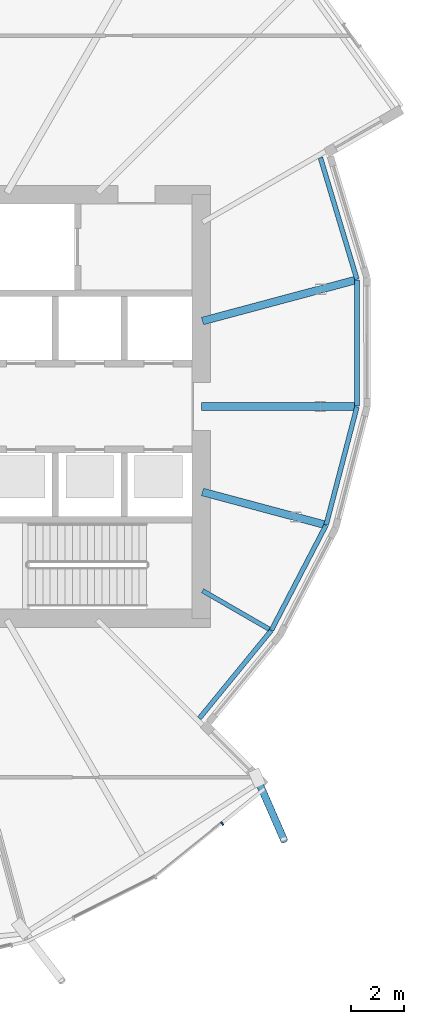
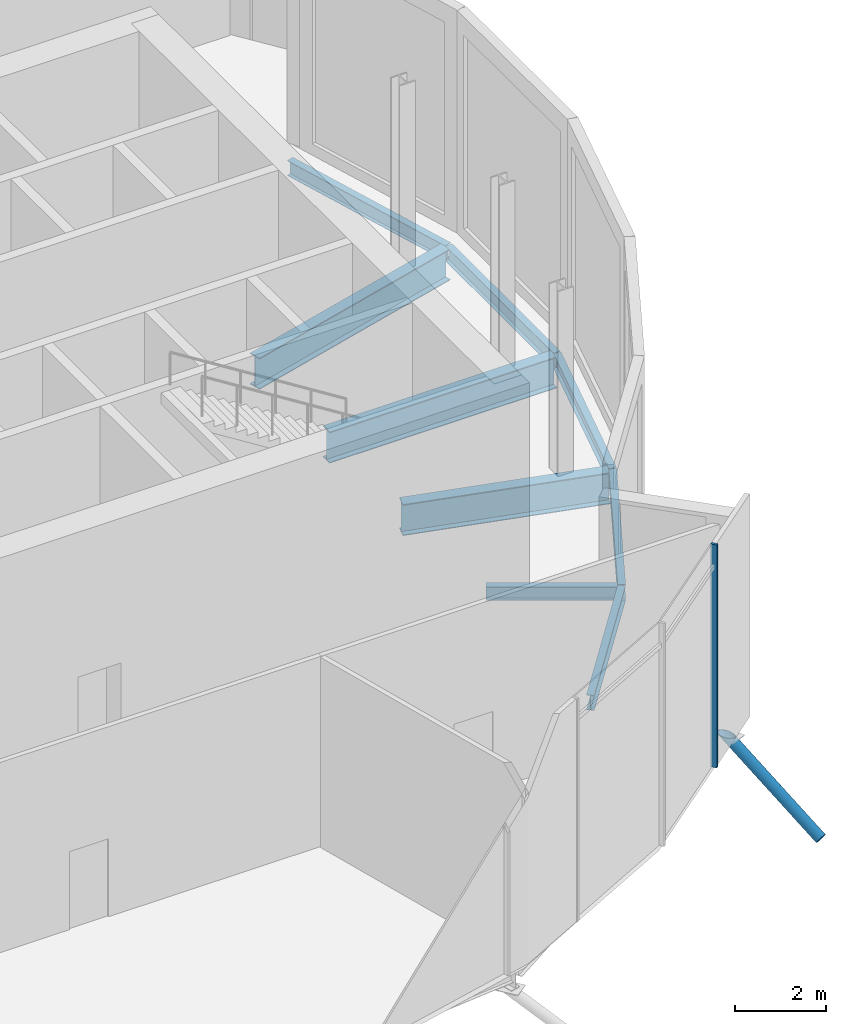
# One storey, part 13 of 38: 9 beams, 2 members, 1 element without a shape of its own.
"""IFC4 building model written with IfcOpenShell, lengths in metres."""

from ifc_helpers import new_model, si_unit, direction, frame, origin, origin_2d, place, context, subcontext, project, spatial, rectangle, hollow_circle, i_section, extrude, clip, halfspace, material, material_profile, profile_set, type_object, element, aggregate, save


model = new_model("IFC4")

# Units and contexts
model_context = context("Model", 3, precision=1e-05, world=origin(), true_north=direction((0.0, 1.0)))
body_context = subcontext(model_context, "Body", "Model", "MODEL_VIEW")
ifc_project = project(units=[si_unit("LENGTHUNIT", "METRE"), si_unit("AREAUNIT", "SQUARE_METRE"), si_unit("VOLUMEUNIT", "CUBIC_METRE"), si_unit("PLANEANGLEUNIT", "RADIAN"), si_unit("MASSUNIT", "GRAM", prefix="KILO")], contexts=[model_context])

# Site, building, storey
site_placement = place(None, origin())
site = spatial("IfcSite", under=ifc_project, at=site_placement, CompositionType="ELEMENT")
building_placement = place(site_placement, origin())
building = spatial("IfcBuilding", under=site, at=building_placement, Name="Rimbun Link Towers", CompositionType="ELEMENT")
storey_placement = place(building_placement, frame((0.0, 0.0, 133.199951171875)))
storey = spatial("IfcBuildingStorey", under=building, at=storey_placement, Name="L32", CompositionType="ELEMENT", Elevation=133.199951171875)

# Curtain wall, member
ifc_material_1 = material(Name="Aluminium 6063-T6 and low-iron glass", Category="aluminium")
curtain_wall_type = type_object("IfcCurtainWallType", Name="CW5 full height lobby wall", PredefinedType="NOTDEFINED", material=ifc_material_1)
curtain_wall_placement = place(storey_placement, origin())
curtain_wall = element("IfcCurtainWall", 1, at=curtain_wall_placement, inside=storey, type_object=curtain_wall_type, Name="CW5 L32 T2", PredefinedType="NOTDEFINED")
ifc_material_2 = material(Name="Aluminium 6063-T6", Category="aluminium")
ifc_material_profile_1 = material_profile(ifc_material_2, rectangle(XDim=0.14990234375, YDim=0.06005859375, at=origin_2d()), Name="MULLION 60X150")
ifc_profile_set_1 = profile_set([ifc_material_profile_1], Name="Aluminium 6063-T6")
member_type_1 = type_object("IfcMemberType", Name="CW5 mullion 60X150", PredefinedType="MULLION", material=ifc_profile_set_1)
member_1_placement = place(storey_placement, frame((44.5302734375, -15.744873046875, 0.0), z_axis=(0.0, 0.0, 1.0), x_axis=(0.629158779809, -0.777276803841, 0.0)))
member_1 = element("IfcMember", 2, at=member_1_placement, type_object=member_type_1, Name="CW5 mullion", PredefinedType="MULLION", context=body_context, shape_type="SweptSolid", body=[
    extrude(rectangle(XDim=0.14990234375, YDim=0.06005859375, at=origin_2d()), origin(), (0.0, 0.0, 1.0), 6.0),
])
aggregate(curtain_wall, [member_1])

# Member
ifc_material_3 = material(Name="Steel S355J2H", Category="steel")
ifc_material_profile_2 = material_profile(ifc_material_3, hollow_circle(Radius=0.136474609375, WallThickness=0.012451171875, at=origin_2d()), Name="CHS 273x12.5")
ifc_profile_set_2 = profile_set([ifc_material_profile_2], Name="Steel S355J2H")
member_type_2 = type_object("IfcMemberType", Name="Floor edge link CHS 273x12.5", PredefinedType="BRACE", material=ifc_profile_set_2)
member_2_placement = place(storey_placement, frame((45.902099609375, -14.152099609375, -0.746826171875), z_axis=(0.333271025874, -0.762429387188, -0.554645700303), x_axis=(0.916286077298, 0.400524436894, 0.0)))
element("IfcMember", 3, at=member_2_placement, inside=storey, type_object=member_type_2, Name="Floor edge link T2 L32 18", PredefinedType="BRACE", context=body_context, shape_type="Clipping", body=[
    clip(extrude(hollow_circle(Radius=0.136474609375, WallThickness=0.012451171875, at=origin_2d()), frame((0.0, 0.0, -0.427490234375)), (0.0, 0.0, 1.0), 3.35546875), halfspace(frame((0.0, 0.0, -0.200927734375), z_axis=(0.0, 0.832086622375, -0.554645700303)), False)),
])

# Beams
ifc_material_4 = material(Name="Steel S355J2", Category="steel")
ifc_material_profile_3 = material_profile(ifc_material_4, i_section(OverallWidth=0.17138671875, OverallDepth=0.35498046875, WebThickness=0.00732421875, FlangeThickness=0.011474609375, at=origin_2d()), Name="UB 356x171x51")
ifc_profile_set_3 = profile_set([ifc_material_profile_3], Name="Steel S355J2")
beam_type_1 = type_object("IfcBeamType", Name="UB 356x171x51", PredefinedType="BEAM", material=ifc_profile_set_3)
beam_1_placement = place(storey_placement, frame((43.793701171875, -6.95361328125, -0.357421875), z_axis=(0.866062421641, -0.49993587771, 0.0), x_axis=(0.49993587771, 0.866062421641, 0.0)))
element("IfcBeam", 4, at=beam_1_placement, inside=storey, type_object=beam_type_1, Name="Radial beam T2 L32 19", PredefinedType="BEAM", context=body_context, shape_type="SweptSolid", body=[
    extrude(i_section(OverallWidth=0.17138671875, OverallDepth=0.35498046875, WebThickness=0.00732421875, FlangeThickness=0.011474609375, at=origin_2d()), origin(), (0.0, 0.0, 1.0), 2.90478515625),
])
ifc_material_5 = material(Name="Steel S355J2", Category="steel")
ifc_material_profile_4 = material_profile(ifc_material_5, i_section(OverallWidth=0.177978515625, OverallDepth=0.406494140625, WebThickness=0.0078125, FlangeThickness=0.0126953125, at=origin_2d()), Name="UB 406x178x60")
ifc_profile_set_4 = profile_set([ifc_material_profile_4], Name="Steel S355J2")
beam_type_2 = type_object("IfcBeamType", Name="UB 406x178x60", PredefinedType="BEAM", material=ifc_profile_set_4)
beam_2_placement = place(storey_placement, frame((43.6708984375, -11.772705078125, -0.383056640625), z_axis=(0.633032798908, 0.774124974088, 0.0), x_axis=(-0.774124974088, 0.633032798908, 0.0)))
element("IfcBeam", 5, at=beam_2_placement, inside=storey, type_object=beam_type_2, Name="Edge beam T2 L32 18 recess", PredefinedType="BEAM", context=body_context, shape_type="SweptSolid", body=[
    extrude(i_section(OverallWidth=0.177978515625, OverallDepth=0.406494140625, WebThickness=0.0078125, FlangeThickness=0.0126953125, at=origin_2d()), origin(), (0.0, 0.0, 1.0), 4.281005859375),
])
beam_3_placement = place(storey_placement, frame((46.39208984375, -8.44189453125, -0.383056640625), z_axis=(0.461630243497, 0.887072442526, 0.0), x_axis=(-0.887072442526, 0.461630243497, 0.0)))
element("IfcBeam", 6, at=beam_3_placement, inside=storey, type_object=beam_type_2, Name="Edge beam T2 L32 19 recess", PredefinedType="BEAM", context=body_context, shape_type="SweptSolid", body=[
    extrude(i_section(OverallWidth=0.177978515625, OverallDepth=0.406494140625, WebThickness=0.0078125, FlangeThickness=0.0126953125, at=origin_2d()), origin(), (0.0, 0.0, 1.0), 4.45947265625),
])
beam_4_placement = place(storey_placement, frame((48.45849609375, -4.465576171875, -0.383056640625), z_axis=(0.252333363174, 0.96764036389, 0.0), x_axis=(-0.96764036389, 0.252333363174, 0.0)))
element("IfcBeam", 7, at=beam_4_placement, inside=storey, type_object=beam_type_2, Name="Edge beam T2 L32 20 recess", PredefinedType="BEAM", context=body_context, shape_type="SweptSolid", body=[
    extrude(i_section(OverallWidth=0.177978515625, OverallDepth=0.406494140625, WebThickness=0.0078125, FlangeThickness=0.0126953125, at=origin_2d()), origin(), (0.0, 0.0, 1.0), 4.6025390625),
])
beam_5_placement = place(storey_placement, frame((49.622802734375, 0.012451171875, -0.383056640625), z_axis=(0.000153783062, 0.999999988175, 0.0), x_axis=(-0.999999988175, 0.000153783062, 0.0)))
element("IfcBeam", 8, at=beam_5_placement, inside=storey, type_object=beam_type_2, Name="Edge beam T2 L32 21 recess", PredefinedType="BEAM", context=body_context, shape_type="SweptSolid", body=[
    extrude(i_section(OverallWidth=0.177978515625, OverallDepth=0.406494140625, WebThickness=0.0078125, FlangeThickness=0.0126953125, at=origin_2d()), origin(), (0.0, 0.0, 1.0), 4.7626953125),
])
beam_6_placement = place(storey_placement, frame((49.619384765625, 4.802734375, -0.383056640625), z_axis=(-0.287413384328, 0.957806633152, 0.0), x_axis=(-0.957806633152, -0.287413384328, 0.0)))
element("IfcBeam", 9, at=beam_6_placement, inside=storey, type_object=beam_type_2, Name="Edge beam T2 L32 22 recess", PredefinedType="BEAM", context=body_context, shape_type="SweptSolid", body=[
    extrude(i_section(OverallWidth=0.177978515625, OverallDepth=0.406494140625, WebThickness=0.0078125, FlangeThickness=0.0126953125, at=origin_2d()), origin(), (0.0, 0.0, 1.0), 4.787353515625),
])
ifc_material_6 = material(Name="Steel S355J2", Category="steel")
ifc_material_profile_5 = material_profile(ifc_material_6, i_section(OverallWidth=0.29248046875, OverallDepth=0.8408203125, WebThickness=0.0126953125, FlangeThickness=0.021728515625, at=origin_2d()), Name="UB 838x292x194")
ifc_profile_set_5 = profile_set([ifc_material_profile_5], Name="Steel S355J2")
beam_type_3 = type_object("IfcBeamType", Name="UB 838x292x194", PredefinedType="BEAM", material=ifc_profile_set_5)
beam_7_placement = place(storey_placement, frame((43.788818359375, -3.225830078125, -0.600341796875), z_axis=(0.965928284471, -0.258809870868, 0.0), x_axis=(0.258809870868, 0.965928284471, 0.0)))
element("IfcBeam", 10, at=beam_7_placement, inside=storey, type_object=beam_type_3, Name="Radial beam T2 L32 20", PredefinedType="BEAM", context=body_context, shape_type="SweptSolid", body=[
    extrude(i_section(OverallWidth=0.29248046875, OverallDepth=0.8408203125, WebThickness=0.0126953125, FlangeThickness=0.021728515625, at=origin_2d()), origin(), (0.0, 0.0, 1.0), 4.7412109375),
])
beam_8_placement = place(storey_placement, frame((43.7509765625, 0.0, -0.600341796875), z_axis=(1.0, 0.0, 0.0), x_axis=(0.0, 1.0, 0.0)))
element("IfcBeam", 11, at=beam_8_placement, inside=storey, type_object=beam_type_3, Name="Radial beam T2 L32 21", PredefinedType="BEAM", context=body_context, shape_type="SweptSolid", body=[
    extrude(i_section(OverallWidth=0.29248046875, OverallDepth=0.8408203125, WebThickness=0.0126953125, FlangeThickness=0.021728515625, at=origin_2d()), origin(), (0.0, 0.0, 1.0), 5.78125),
])
beam_9_placement = place(storey_placement, frame((43.788818359375, 3.225830078125, -0.600341796875), z_axis=(0.96592369199, 0.258827010283, 0.0), x_axis=(-0.258827010283, 0.96592369199, 0.0)))
element("IfcBeam", 12, at=beam_9_placement, inside=storey, type_object=beam_type_3, Name="Radial beam T2 L32 22", PredefinedType="BEAM", context=body_context, shape_type="SweptSolid", body=[
    extrude(i_section(OverallWidth=0.29248046875, OverallDepth=0.8408203125, WebThickness=0.0126953125, FlangeThickness=0.021728515625, at=origin_2d()), origin(), (0.0, 0.0, 1.0), 5.949951171875),
])

save(model, "model.ifc")
